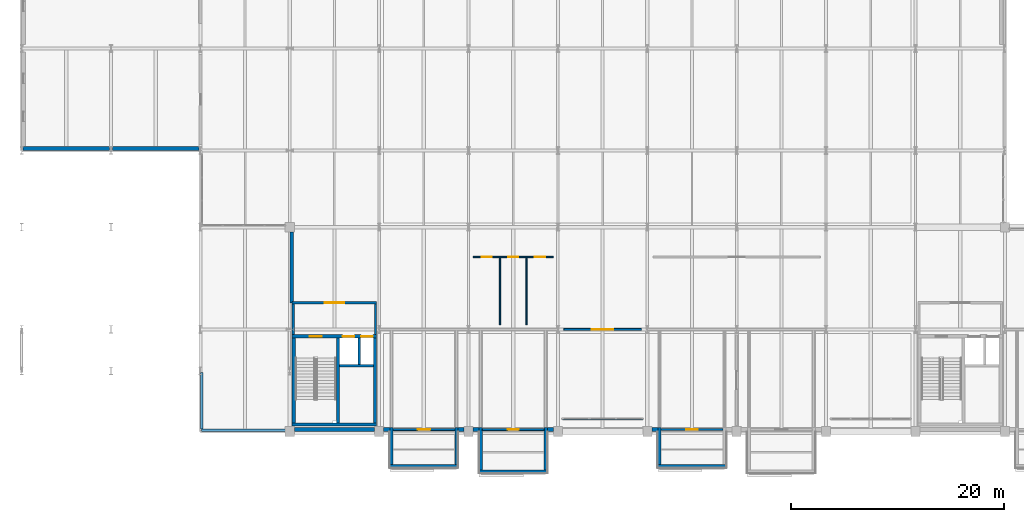
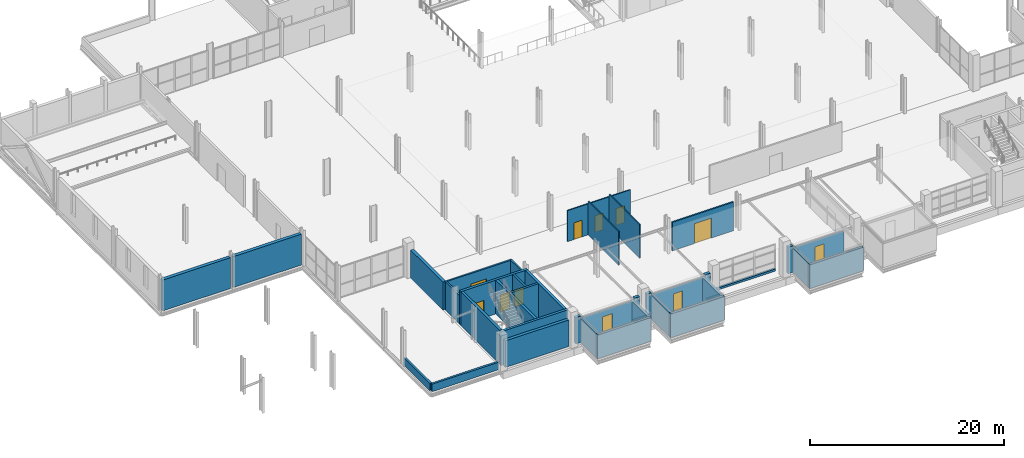
# One storey, part 98 of 113: 37 walls, 11 doors, 11 openings.
"""IFC4 building model written with IfcOpenShell, lengths in metres."""

from ifc_helpers import new_model, si_unit, direction, frame, frame_2d, origin, place, context, subcontext, project, spatial, rectangle, extrude, material, layer, layer_set, type_object, element, fill, save


model = new_model("IFC4")

# Units and contexts
model_context = context("Model", 3, precision=1e-05, world=origin(), true_north=direction((0.0, 1.0)))
body_context = subcontext(model_context, "Body", "Model", "MODEL_VIEW")
ifc_project = project(units=[si_unit("LENGTHUNIT", "METRE"), si_unit("AREAUNIT", "SQUARE_METRE"), si_unit("VOLUMEUNIT", "CUBIC_METRE"), si_unit("PLANEANGLEUNIT", "RADIAN"), si_unit("MASSUNIT", "GRAM", prefix="KILO")], contexts=[model_context])

# Site, building, storey
site_placement = place(None, origin())
site = spatial("IfcSite", under=ifc_project, at=site_placement, CompositionType="ELEMENT")
building_placement = place(site_placement, origin())
building = spatial("IfcBuilding", under=site, at=building_placement, Name="Veltarok Museum of Natural Sciences", CompositionType="ELEMENT")
storey_placement = place(building_placement, frame((0.0, 0.0, 8.39990234375)))
storey = spatial("IfcBuildingStorey", under=building, at=storey_placement, Name="L01", CompositionType="ELEMENT", Elevation=8.39990234375)

# Walls
ifc_material_1 = material(Name="Concrete C40/50", Category="concrete")
ifc_layer_1 = layer(ifc_material_1, 0.3798828125)
ifc_layer_set_1 = layer_set([ifc_layer_1], Name="Concrete C40/50")
wall_type_1 = type_object("IfcWallType", Name="Auditorium Acoustic Concrete Facade Wall 380", PredefinedType="SOLIDWALL", material=ifc_layer_set_1)
wall_1_placement = place(storey_placement, frame((6.550048828125, 26.590087890625, 0.0), z_axis=(0.0, 0.0, 1.0), x_axis=(1.0, 0.0, 0.0)))
element("IfcWall", 1, at=wall_1_placement, inside=storey, type_object=wall_type_1, Name="Auditorium South Acoustic Wall L01 1-2", PredefinedType="SOLIDWALL", context=body_context, shape_type="SweptSolid", body=[
    extrude(rectangle(XDim=8.099853515625, YDim=0.3798828125, at=frame_2d((4.0498046875, 0.0))), origin(), (0.0, 0.0, 1.0), 3.880126953125),
])
wall_2_placement = place(storey_placement, frame((14.949951171875, 26.590087890625, 0.0), z_axis=(0.0, 0.0, 1.0), x_axis=(1.0, 0.0, 0.0)))
element("IfcWall", 2, at=wall_2_placement, inside=storey, type_object=wall_type_1, Name="Auditorium South Acoustic Wall L01 2-3", PredefinedType="SOLIDWALL", context=body_context, shape_type="SweptSolid", body=[
    extrude(rectangle(XDim=8.10009765625, YDim=0.3798828125, at=frame_2d((4.050048828125, 0.0))), origin(), (0.0, 0.0, 1.0), 3.880126953125),
])
ifc_material_2 = material(Name="Precast concrete C40/50", Category="concrete")
ifc_layer_2 = layer(ifc_material_2, 0.280029296875)
ifc_layer_set_2 = layer_set([ifc_layer_2], Name="Precast concrete C40/50")
wall_type_2 = type_object("IfcWallType", Name="Cabinet Box Insulated Backup Wall 280", PredefinedType="SOLIDWALL", material=ifc_layer_set_2)
wall_3_placement = place(storey_placement, frame((41.0, -3.260009765625, 0.0), z_axis=(0.0, 0.0, 1.0), x_axis=(1.0, 0.0, 0.0)))
element("IfcWall", 3, at=wall_3_placement, inside=storey, type_object=wall_type_2, Name="Cabinet Box Wall DB-01-S", PredefinedType="SOLIDWALL", context=body_context, shape_type="SweptSolid", body=[
    extrude(rectangle(XDim=6.39990234375, YDim=0.280029296875, at=frame_2d((3.199951171875, 0.0))), origin(), (0.0, 0.0, 1.0), 2.989990234375),
])
for number, where, z_axis, x_axis, name in (
    (4, (41.139892578125, 0.360107421875, 0.0), (0.0, 0.0, 1.0), (0.0, -1.0, 0.0), "Cabinet Box Wall DB-01-W"),
    (5, (47.260009765625, -3.1201171875, 0.0), (0.0, 0.0, 1.0), (0.0, 1.0, 0.0), "Cabinet Box Wall DB-01-E"),
):
    element("IfcWall", number, at=place(storey_placement, frame(where, z_axis=z_axis, x_axis=x_axis)), inside=storey, type_object=wall_type_2, Name=name, PredefinedType="SOLIDWALL", context=body_context, shape_type="SweptSolid", body=[
        extrude(rectangle(XDim=3.480224609375, YDim=0.280029296875, at=frame_2d((1.740234375, 0.0))), origin(), (0.0, 0.0, 1.0), 2.989990234375),
    ])
wall_4_placement = place(storey_placement, frame((66.199951171875, -3.260009765625, 0.0), z_axis=(0.0, 0.0, 1.0), x_axis=(1.0, 0.0, 0.0)))
element("IfcWall", 6, at=wall_4_placement, inside=storey, type_object=wall_type_2, Name="Cabinet Box Wall DB-03-S", PredefinedType="SOLIDWALL", context=body_context, shape_type="SweptSolid", body=[
    extrude(rectangle(XDim=6.400146484375, YDim=0.280029296875, at=frame_2d((3.2001953125, 0.0))), origin(), (0.0, 0.0, 1.0), 2.989990234375),
])
wall_5_placement = place(storey_placement, frame((66.340087890625, 0.360107421875, 0.0), z_axis=(0.0, 0.0, 1.0), x_axis=(0.0, -1.0, 0.0)))
element("IfcWall", 7, at=wall_5_placement, inside=storey, type_object=wall_type_2, Name="Cabinet Box Wall DB-03-W", PredefinedType="SOLIDWALL", context=body_context, shape_type="SweptSolid", body=[
    extrude(rectangle(XDim=3.480224609375, YDim=0.280029296875, at=frame_2d((1.740234375, 0.0))), origin(), (0.0, 0.0, 1.0), 2.989990234375),
])
ifc_layer_3 = layer(ifc_material_2, 0.300048828125)
ifc_layer_set_3 = layer_set([ifc_layer_3], Name="Precast concrete C40/50")
wall_type_3 = type_object("IfcWallType", Name="Deep Cabinet Box Insulated Wall 300", PredefinedType="SOLIDWALL", material=ifc_layer_set_3)
wall_6_placement = place(storey_placement, frame((49.39990234375, -3.75, 0.0), z_axis=(0.0, 0.0, 1.0), x_axis=(1.0, 0.0, 0.0)))
element("IfcWall", 8, at=wall_6_placement, inside=storey, type_object=wall_type_3, Name="Cabinet Box Wall DB-02-S", PredefinedType="SOLIDWALL", context=body_context, shape_type="SweptSolid", body=[
    extrude(rectangle(XDim=6.400146484375, YDim=0.300048828125, at=frame_2d((3.2001953125, 0.0))), origin(), (0.0, 0.0, 1.0), 2.989990234375),
])
for number, where, z_axis, x_axis, name in (
    (9, (49.550048828125, 0.360107421875, 0.0), (0.0, 0.0, 1.0), (0.0, -1.0, 0.0), "Cabinet Box Wall DB-02-W"),
    (10, (55.64990234375, -3.60009765625, 0.0), (0.0, 0.0, 1.0), (0.0, 1.0, 0.0), "Cabinet Box Wall DB-02-E"),
):
    element("IfcWall", number, at=place(storey_placement, frame(where, z_axis=z_axis, x_axis=x_axis)), inside=storey, type_object=wall_type_3, Name=name, PredefinedType="SOLIDWALL", context=body_context, shape_type="SweptSolid", body=[
        extrude(rectangle(XDim=3.960205078125, YDim=0.300048828125, at=frame_2d((1.97998046875, 0.0))), origin(), (0.0, 0.0, 1.0), 2.989990234375),
    ])

# Wall, opening, door
ifc_material_3 = material(Name="Acoustic gypsum and mineral wool")
ifc_layer_4 = layer(ifc_material_3, 0.179931640625)
ifc_layer_set_4 = layer_set([ifc_layer_4], Name="Acoustic gypsum and mineral wool")
wall_type_4 = type_object("IfcWallType", Name="Exhibition Gallery Partition 180", PredefinedType="PARTITIONING", material=ifc_layer_set_4)
wall_7_placement = place(storey_placement, frame((41.280029296875, 0.179931640625, 0.0), z_axis=(0.0, 0.0, 1.0), x_axis=(1.0, 0.0, 0.0)))
wall_7 = element("IfcWall", 11, at=wall_7_placement, inside=storey, type_object=wall_type_4, Name="Cabinet Threshold Partition DB-01", PredefinedType="PARTITIONING", context=body_context, shape_type="SweptSolid", body=[
    extrude(rectangle(XDim=5.840087890625, YDim=0.179931640625, at=frame_2d((2.919921875, 0.0))), origin(), (0.0, 0.0, 1.0), 2.989990234375),
])
opening_1_placement = place(wall_7_placement, frame((2.330078125, 0.0, 0.0)))
opening_1 = element("IfcOpeningElement", 12, at=opening_1_placement, cuts=wall_7, Name="Opening D-L01-072", PredefinedType="OPENING", context=body_context, shape_type="SweptSolid", body=[
    extrude(rectangle(XDim=1.179931640625, YDim=2.25, at=frame_2d((0.58984375, 1.125))), frame((0.0, 0.10009765625, 0.0), z_axis=(0.0, -1.0, 0.0), x_axis=(1.0, 0.0, 0.0)), (0.0, 0.0, 1.0), 0.199951171875),
])
ifc_material_4 = material(Name="Airtight powder-coated steel", Category="steel")
door_type_1 = type_object("IfcDoorType", Name="Large Cabinet Conservation Door 1180x2250", OperationType="NOTDEFINED", PredefinedType="DOOR", material=ifc_material_4)
door_1_placement = place(opening_1_placement, origin())
door_1 = element("IfcDoor", 13, at=door_1_placement, inside=storey, type_object=door_type_1, Name="Cabinet Conservation Door DB-01", OperationType="SINGLE_SWING_RIGHT", OverallHeight=2.25, OverallWidth=1.179931640625, PredefinedType="DOOR", context=body_context, shape_type="SweptSolid", body=[
    extrude(rectangle(XDim=1.179931640625, YDim=2.25, at=frame_2d((0.58984375, 1.125))), frame((0.0, 0.02490234375, 0.0), z_axis=(0.0, -1.0, 0.0), x_axis=(1.0, 0.0, 0.0)), (0.0, 0.0, 1.0), 0.050048828125),
])
fill(opening_1, door_1)

wall_8_placement = place(storey_placement, frame((49.699951171875, 0.179931640625, 0.0), z_axis=(0.0, 0.0, 1.0), x_axis=(1.0, 0.0, 0.0)))
wall_8 = element("IfcWall", 14, at=wall_8_placement, inside=storey, type_object=wall_type_4, Name="Cabinet Threshold Partition DB-02", PredefinedType="PARTITIONING", context=body_context, shape_type="SweptSolid", body=[
    extrude(rectangle(XDim=5.800048828125, YDim=0.179931640625, at=frame_2d((2.89990234375, 0.0))), origin(), (0.0, 0.0, 1.0), 2.989990234375),
])
opening_2_placement = place(wall_8_placement, frame((2.3798828125, 0.0, 0.0)))
opening_2 = element("IfcOpeningElement", 15, at=opening_2_placement, cuts=wall_8, Name="Opening D-L01-073", PredefinedType="OPENING", context=body_context, shape_type="SweptSolid", body=[
    extrude(rectangle(XDim=1.0400390625, YDim=2.179931640625, at=frame_2d((0.52001953125, 1.08984375))), frame((0.0, 0.10009765625, 0.0), z_axis=(0.0, -1.0, 0.0), x_axis=(1.0, 0.0, 0.0)), (0.0, 0.0, 1.0), 0.199951171875),
])
door_type_2 = type_object("IfcDoorType", Name="Compact Cabinet Conservation Door 1040x2180", OperationType="NOTDEFINED", PredefinedType="DOOR", material=ifc_material_4)
door_2_placement = place(opening_2_placement, origin())
door_2 = element("IfcDoor", 16, at=door_2_placement, inside=storey, type_object=door_type_2, Name="Cabinet Conservation Door DB-02", OperationType="SINGLE_SWING_LEFT", OverallHeight=2.179931640625, OverallWidth=1.0400390625, PredefinedType="DOOR", context=body_context, shape_type="SweptSolid", body=[
    extrude(rectangle(XDim=1.0400390625, YDim=2.179931640625, at=frame_2d((0.52001953125, 1.08984375))), frame((0.0, 0.02490234375, 0.0), z_axis=(0.0, -1.0, 0.0), x_axis=(1.0, 0.0, 0.0)), (0.0, 0.0, 1.0), 0.050048828125),
])
fill(opening_2, door_2)

wall_9_placement = place(storey_placement, frame((66.47998046875, 0.179931640625, 0.0), z_axis=(0.0, 0.0, 1.0), x_axis=(1.0, 0.0, 0.0)))
wall_9 = element("IfcWall", 17, at=wall_9_placement, inside=storey, type_object=wall_type_4, Name="Cabinet Threshold Partition DB-03", PredefinedType="PARTITIONING", context=body_context, shape_type="SweptSolid", body=[
    extrude(rectangle(XDim=5.840087890625, YDim=0.179931640625, at=frame_2d((2.919921875, 0.0))), origin(), (0.0, 0.0, 1.0), 2.989990234375),
])
opening_3_placement = place(wall_9_placement, frame((2.3701171875, 0.0, 0.0)))
opening_3 = element("IfcOpeningElement", 18, at=opening_3_placement, cuts=wall_9, Name="Opening D-L01-074", PredefinedType="OPENING", context=body_context, shape_type="SweptSolid", body=[
    extrude(rectangle(XDim=1.10009765625, YDim=2.199951171875, at=frame_2d((0.550048828125, 1.10009765625))), frame((0.0, 0.10009765625, 0.0), z_axis=(0.0, -1.0, 0.0), x_axis=(1.0, 0.0, 0.0)), (0.0, 0.0, 1.0), 0.199951171875),
])
door_type_3 = type_object("IfcDoorType", Name="Cabinet Box Conservation Door 1100x2200", OperationType="NOTDEFINED", PredefinedType="DOOR", material=ifc_material_4)
door_3_placement = place(opening_3_placement, origin())
door_3 = element("IfcDoor", 19, at=door_3_placement, inside=storey, type_object=door_type_3, Name="Cabinet Conservation Door DB-03", OperationType="SINGLE_SWING_RIGHT", OverallHeight=2.199951171875, OverallWidth=1.10009765625, PredefinedType="DOOR", context=body_context, shape_type="SweptSolid", body=[
    extrude(rectangle(XDim=1.10009765625, YDim=2.199951171875, at=frame_2d((0.550048828125, 1.10009765625))), frame((0.0, 0.02490234375, 0.0), z_axis=(0.0, -1.0, 0.0), x_axis=(1.0, 0.0, 0.0)), (0.0, 0.0, 1.0), 0.050048828125),
])
fill(opening_3, door_3)

wall_10_placement = place(storey_placement, frame((57.35009765625, 9.60009765625, 0.0), z_axis=(0.0, 0.0, 1.0), x_axis=(1.0, 0.0, 0.0)))
wall_10 = element("IfcWall", 20, at=wall_10_placement, inside=storey, type_object=wall_type_4, Name="Interior Partition L01-026", PredefinedType="PARTITIONING", context=body_context, shape_type="SweptSolid", body=[
    extrude(rectangle(XDim=7.2998046875, YDim=0.179931640625, at=frame_2d((3.64990234375, 0.0))), origin(), (0.0, 0.0, 1.0), 3.592041015625),
])
opening_4_placement = place(wall_10_placement, frame((2.64990234375, 0.0, 0.0)))
opening_4 = element("IfcOpeningElement", 21, at=opening_4_placement, cuts=wall_10, Name="Opening D-L01-152", PredefinedType="OPENING", context=body_context, shape_type="SweptSolid", body=[
    extrude(rectangle(XDim=2.0, YDim=2.5, at=frame_2d((1.0, 1.25))), frame((0.0, 0.10009765625, 0.0), z_axis=(0.0, -1.0, 0.0), x_axis=(1.0, 0.0, 0.0)), (0.0, 0.0, 1.0), 0.199951171875),
])
ifc_material_5 = material(Name="Solid European oak and acoustic glass", Category="glass")
door_type_4 = type_object("IfcDoorType", Name="Exhibition Hall Double Portal Door 2000x2500", OperationType="NOTDEFINED", PredefinedType="DOOR", material=ifc_material_5)
door_4_placement = place(opening_4_placement, origin())
door_4 = element("IfcDoor", 22, at=door_4_placement, inside=storey, type_object=door_type_4, Name="Interior Door D-L01-152", OperationType="DOUBLE_DOOR_SINGLE_SWING", OverallHeight=2.5, OverallWidth=2.0, PredefinedType="DOOR", context=body_context, shape_type="SweptSolid", body=[
    extrude(rectangle(XDim=2.0, YDim=2.5, at=frame_2d((1.0, 1.25))), frame((0.0, 0.02490234375, 0.0), z_axis=(0.0, -1.0, 0.0), x_axis=(1.0, 0.0, 0.0)), (0.0, 0.0, 1.0), 0.050048828125),
])
fill(opening_4, door_4)

# Walls
ifc_layer_5 = layer(ifc_material_1, 0.360107421875)
ifc_layer_set_5 = layer_set([ifc_layer_5], Name="Concrete C40/50")
wall_type_5 = type_object("IfcWallType", Name="Exposed Architectural Concrete Facade Wall 360", PredefinedType="SOLIDWALL", material=ifc_layer_set_5)
wall_11_placement = place(storey_placement, frame((32.02490234375, 0.179931640625, 0.0), z_axis=(0.0, 0.0, 1.0), x_axis=(1.0, 0.0, 0.0)))
element("IfcWall", 23, at=wall_11_placement, inside=storey, type_object=wall_type_5, Name="South Core Facade Wall L01 4-5", PredefinedType="SOLIDWALL", context=body_context, shape_type="SweptSolid", body=[
    extrude(rectangle(XDim=7.550048828125, YDim=0.360107421875, at=frame_2d((3.77490234375, 0.0))), origin(), (0.0, 0.0, 1.0), 3.335205078125),
])
wall_12_placement = place(storey_placement, frame((40.425048828125, 0.179931640625, 0.0), z_axis=(0.0, 0.0, 1.0), x_axis=(1.0, 0.0, 0.0)))
element("IfcWall", 24, at=wall_12_placement, inside=storey, type_object=wall_type_5, Name="Cabinet Collar Wall L01 5-6L", PredefinedType="SOLIDWALL", context=body_context, shape_type="SweptSolid", body=[
    extrude(rectangle(XDim=0.574951171875, YDim=0.360107421875, at=frame_2d((0.28759765625, 0.0))), origin(), (0.0, 0.0, 1.0), 3.335205078125),
])
wall_13_placement = place(storey_placement, frame((47.39990234375, 0.179931640625, 0.0), z_axis=(0.0, 0.0, 1.0), x_axis=(1.0, 0.0, 0.0)))
element("IfcWall", 25, at=wall_13_placement, inside=storey, type_object=wall_type_5, Name="Cabinet Collar Wall L01 5-6R", PredefinedType="SOLIDWALL", context=body_context, shape_type="SweptSolid", body=[
    extrude(rectangle(XDim=0.5751953125, YDim=0.360107421875, at=frame_2d((0.28759765625, 0.0))), origin(), (0.0, 0.0, 1.0), 3.335205078125),
])
for number, where, z_axis, x_axis, name in (
    (26, (48.824951171875, 0.179931640625, 0.0), (0.0, 0.0, 1.0), (1.0, 0.0, 0.0), "Cabinet Collar Wall L01 6-7L"),
    (27, (55.800048828125, 0.179931640625, 0.0), (0.0, 0.0, 1.0), (1.0, 0.0, 0.0), "Cabinet Collar Wall L01 6-7R"),
    (28, (65.625, 0.179931640625, 0.0), (0.0, 0.0, 1.0), (1.0, 0.0, 0.0), "Cabinet Collar Wall L01 8-9L"),
):
    element("IfcWall", number, at=place(storey_placement, frame(where, z_axis=z_axis, x_axis=x_axis)), inside=storey, type_object=wall_type_5, Name=name, PredefinedType="SOLIDWALL", context=body_context, shape_type="SweptSolid", body=[
        extrude(rectangle(XDim=0.574951171875, YDim=0.360107421875, at=frame_2d((0.28759765625, 0.0))), origin(), (0.0, 0.0, 1.0), 3.335205078125),
    ])
wall_14_placement = place(storey_placement, frame((31.780029296875, 18.75, 0.0), z_axis=(0.0, 0.0, 1.0), x_axis=(0.0, -1.0, 0.0)))
element("IfcWall", 29, at=wall_14_placement, inside=storey, type_object=wall_type_5, Name="V1 West End Facade Wall L01 4/B-C", PredefinedType="SOLIDWALL", context=body_context, shape_type="SweptSolid", body=[
    extrude(rectangle(XDim=6.64990234375, YDim=0.360107421875, at=frame_2d((3.324951171875, 0.0))), origin(), (0.0, 0.0, 1.0), 3.531982421875),
])

# Wall, opening, door
ifc_material_6 = material(Name="Concrete C35/45", Category="concrete")
ifc_layer_6 = layer(ifc_material_6, 0.199951171875)
ifc_layer_set_6 = layer_set([ifc_layer_6], Name="Concrete C35/45")
wall_type_6 = type_object("IfcWallType", Name="Firefighting Lobby Compartment Wall 200", PredefinedType="SOLIDWALL", material=ifc_layer_set_6)
wall_15_placement = place(storey_placement, frame((31.830078125, 12.10009765625, 0.0), z_axis=(0.0, 0.0, 1.0), x_axis=(1.0, 0.0, 0.0)))
wall_15 = element("IfcWall", 30, at=wall_15_placement, inside=storey, type_object=wall_type_6, Name="Firefighting Lobby Wall C1 L01 N", PredefinedType="SOLIDWALL", context=body_context, shape_type="SweptSolid", body=[
    extrude(rectangle(XDim=7.93994140625, YDim=0.199951171875, at=frame_2d((3.969970703125, 0.0))), origin(), (0.0, 0.0, 1.0), 3.531982421875),
])
opening_5_placement = place(wall_15_placement, frame((3.070068359375, 0.0, 0.0)))
opening_5 = element("IfcOpeningElement", 31, at=opening_5_placement, cuts=wall_15, Name="Opening D-L01-025", PredefinedType="OPENING", context=body_context, shape_type="SweptSolid", body=[
    extrude(rectangle(XDim=1.800048828125, YDim=2.199951171875, at=frame_2d((0.89990234375, 1.10009765625))), frame((0.0, 0.10986328125, 0.0), z_axis=(0.0, -1.0, 0.0), x_axis=(1.0, 0.0, 0.0)), (0.0, 0.0, 1.0), 0.219970703125),
])
ifc_material_7 = material(Name="Fire-rated steel and vision glass", Category="steel")
door_type_5 = type_object("IfcDoorType", Name="Fire Lobby Double Door 1800x2200", OperationType="NOTDEFINED", PredefinedType="DOOR", material=ifc_material_7)
door_5_placement = place(opening_5_placement, origin())
door_5 = element("IfcDoor", 32, at=door_5_placement, inside=storey, type_object=door_type_5, Name="Firefighting Lobby Entrance Door C1 L01", OperationType="DOUBLE_DOOR_SINGLE_SWING", OverallHeight=2.199951171875, OverallWidth=1.800048828125, PredefinedType="DOOR", context=body_context, shape_type="SweptSolid", body=[
    extrude(rectangle(XDim=1.800048828125, YDim=2.199951171875, at=frame_2d((0.89990234375, 1.10009765625))), frame((0.0, 0.02490234375, 0.0), z_axis=(0.0, -1.0, 0.0), x_axis=(1.0, 0.0, 0.0)), (0.0, 0.0, 1.0), 0.050048828125),
])
fill(opening_5, door_5)

# Walls
for number, where, z_axis, x_axis, name in (
    (33, (31.929931640625, 9.10009765625, 0.0), (0.0, 0.0, 1.0), (0.0, 1.0, 0.0), "Firefighting Lobby Wall C1 L01 W"),
    (34, (39.669921875, 12.0, 0.0), (0.0, 0.0, 1.0), (0.0, -1.0, 0.0), "Firefighting Lobby Wall C1 L01 E"),
):
    element("IfcWall", number, at=place(storey_placement, frame(where, z_axis=z_axis, x_axis=x_axis)), inside=storey, type_object=wall_type_6, Name=name, PredefinedType="SOLIDWALL", context=body_context, shape_type="SweptSolid", body=[
        extrude(rectangle(XDim=2.89990234375, YDim=0.199951171875, at=frame_2d((1.449951171875, 0.0))), origin(), (0.0, 0.0, 1.0), 3.592041015625),
    ])
ifc_layer_7 = layer(ifc_material_2, 0.239990234375)
ifc_layer_set_7 = layer_set([ifc_layer_7], Name="Precast concrete C40/50")
wall_type_7 = type_object("IfcWallType", Name="Flat Roof Concrete Parapet Wall 240", PredefinedType="PARAPET", material=ifc_layer_set_7)
wall_16_placement = place(storey_placement, frame((23.320068359375, 0.1201171875, 0.0), z_axis=(0.0, 0.0, 1.0), x_axis=(1.0, 0.0, 0.0)))
element("IfcWall", 35, at=wall_16_placement, inside=storey, type_object=wall_type_7, Name="Roof Parapet Wall L01-01", PredefinedType="PARAPET", context=body_context, shape_type="SweptSolid", body=[
    extrude(rectangle(XDim=7.929931640625, YDim=0.239990234375, at=frame_2d((3.96484375, 0.0))), origin(), (0.0, 0.0, 1.0), 0.9501953125),
])
wall_17_placement = place(storey_placement, frame((23.320068359375, 0.239990234375, 0.0), z_axis=(0.0, 0.0, 1.0), x_axis=(0.0, 1.0, 0.0)))
element("IfcWall", 36, at=wall_17_placement, inside=storey, type_object=wall_type_7, Name="Roof Parapet Wall L01-02", PredefinedType="PARAPET", context=body_context, shape_type="SweptSolid", body=[
    extrude(rectangle(XDim=5.31005859375, YDim=0.239990234375, at=frame_2d((2.655029296875, 0.0))), origin(), (0.0, 0.0, 1.0), 0.9501953125),
])
ifc_layer_8 = layer(ifc_material_1, 0.25)
ifc_layer_set_8 = layer_set([ifc_layer_8], Name="Concrete C40/50")
wall_type_8 = type_object("IfcWallType", Name="Lift Shaft Concrete Shear Wall 250", PredefinedType="SHEAR", material=ifc_layer_set_8)
wall_18_placement = place(storey_placement, frame((38.114990234375, 6.300048828125, 0.0), z_axis=(0.0, 0.0, 1.0), x_axis=(0.0, 1.0, 0.0)))
element("IfcWall", 37, at=wall_18_placement, inside=storey, type_object=wall_type_8, Name="Lift Shaft Divider Wall C1 L01", PredefinedType="SHEAR", context=body_context, shape_type="SweptSolid", body=[
    extrude(rectangle(XDim=2.5, YDim=0.25, at=frame_2d((1.25, 0.0))), origin(), (0.0, 0.0, 1.0), 4.25),
])
wall_19_placement = place(storey_placement, frame((36.27001953125, 6.175048828125, 0.0), z_axis=(0.0, 0.0, 1.0), x_axis=(1.0, 0.0, 0.0)))
element("IfcWall", 38, at=wall_19_placement, inside=storey, type_object=wall_type_8, Name="Lift Shaft Back Wall C1 L01", PredefinedType="SHEAR", context=body_context, shape_type="SweptSolid", body=[
    extrude(rectangle(XDim=3.199951171875, YDim=0.25, at=frame_2d((1.60009765625, 0.0))), origin(), (0.0, 0.0, 1.0), 4.25),
])
ifc_layer_9 = layer(ifc_material_1, 0.300048828125)
ifc_layer_set_9 = layer_set([ifc_layer_9], Name="Concrete C40/50")
wall_type_9 = type_object("IfcWallType", Name="Protected Core Shear Wall 300", PredefinedType="SHEAR", material=ifc_layer_set_9)
wall_20_placement = place(storey_placement, frame((31.830078125, 0.64990234375, 0.0), z_axis=(0.0, 0.0, 1.0), x_axis=(1.0, 0.0, 0.0)))
element("IfcWall", 39, at=wall_20_placement, inside=storey, type_object=wall_type_9, Name="Core Shear Wall C1 L01 S", PredefinedType="SHEAR", context=body_context, shape_type="SweptSolid", body=[
    extrude(rectangle(XDim=7.93994140625, YDim=0.300048828125, at=frame_2d((3.969970703125, 0.0))), origin(), (0.0, 0.0, 1.0), 4.25),
])

# Wall, openings, doors
wall_21_placement = place(storey_placement, frame((39.77001953125, 8.949951171875, 0.0), z_axis=(0.0, 0.0, 1.0), x_axis=(-1.0, 0.0, 0.0)))
wall_21 = element("IfcWall", 40, at=wall_21_placement, inside=storey, type_object=wall_type_9, Name="Core Shear Wall C1 L01 N", PredefinedType="SHEAR", context=body_context, shape_type="SweptSolid", body=[
    extrude(rectangle(XDim=7.93994140625, YDim=0.300048828125, at=frame_2d((3.969970703125, 0.0))), origin(), (0.0, 0.0, 1.0), 4.25),
])
opening_6_placement = place(wall_21_placement, frame((5.169921875, 0.0, 0.0)))
opening_6 = element("IfcOpeningElement", 41, at=opening_6_placement, cuts=wall_21, Name="Opening D-L01-024", PredefinedType="OPENING", context=body_context, shape_type="SweptSolid", body=[
    extrude(rectangle(XDim=1.10009765625, YDim=2.199951171875, at=frame_2d((0.550048828125, 1.10009765625))), frame((0.0, 0.16015625, 0.0), z_axis=(0.0, -1.0, 0.0), x_axis=(1.0, 0.0, 0.0)), (0.0, 0.0, 1.0), 0.320068359375),
])
opening_7_placement = place(wall_21_placement, frame((2.090087890625, 0.0, 0.0)))
opening_7 = element("IfcOpeningElement", 42, at=opening_7_placement, cuts=wall_21, Name="Opening LD-L01-LP-01", PredefinedType="OPENING", context=body_context, shape_type="SweptSolid", body=[
    extrude(rectangle(XDim=1.10009765625, YDim=2.10009765625, at=frame_2d((0.550048828125, 1.050048828125))), frame((0.0, 0.16015625, 0.0), z_axis=(0.0, -1.0, 0.0), x_axis=(1.0, 0.0, 0.0)), (0.0, 0.0, 1.0), 0.320068359375),
])
opening_8_placement = place(wall_21_placement, frame((0.364990234375, 0.0, 0.0)))
opening_8 = element("IfcOpeningElement", 43, at=opening_8_placement, cuts=wall_21, Name="Opening LD-L01-FL-01", PredefinedType="OPENING", context=body_context, shape_type="SweptSolid", body=[
    extrude(rectangle(XDim=1.10009765625, YDim=2.10009765625, at=frame_2d((0.550048828125, 1.050048828125))), frame((0.0, 0.16015625, 0.0), z_axis=(0.0, -1.0, 0.0), x_axis=(1.0, 0.0, 0.0)), (0.0, 0.0, 1.0), 0.320068359375),
])
ifc_material_8 = material(Name="Fire-rated painted steel", Category="steel")
door_type_6 = type_object("IfcDoorType", Name="Fire Core Single Escape Door 1100x2200", OperationType="NOTDEFINED", PredefinedType="DOOR", material=ifc_material_8)
door_6_placement = place(opening_6_placement, origin())
door_6 = element("IfcDoor", 44, at=door_6_placement, inside=storey, type_object=door_type_6, Name="Protected Stair Door ST-01 L01", OperationType="SINGLE_SWING_RIGHT", OverallHeight=2.199951171875, OverallWidth=1.10009765625, PredefinedType="DOOR", context=body_context, shape_type="SweptSolid", body=[
    extrude(rectangle(XDim=1.10009765625, YDim=2.199951171875, at=frame_2d((0.550048828125, 1.10009765625))), frame((0.0, 0.02490234375, 0.0), z_axis=(0.0, -1.0, 0.0), x_axis=(1.0, 0.0, 0.0)), (0.0, 0.0, 1.0), 0.050048828125),
])
fill(opening_6, door_6)
ifc_material_9 = material(Name="Brushed stainless steel", Category="steel")
door_type_7 = type_object("IfcDoorType", Name="Passenger and Firefighting Lift Landing Door 1100x2100", OperationType="SLIDING_TO_LEFT", PredefinedType="DOOR", material=ifc_material_9)
door_7_placement = place(opening_7_placement, origin())
door_7 = element("IfcDoor", 45, at=door_7_placement, inside=storey, type_object=door_type_7, Name="Sliding Lift Landing Door LD-L01-LP-01", OperationType="SLIDING_TO_LEFT", OverallHeight=2.10009765625, OverallWidth=1.10009765625, PredefinedType="DOOR", context=body_context, shape_type="SweptSolid", body=[
    extrude(rectangle(XDim=1.10009765625, YDim=2.10009765625, at=frame_2d((0.550048828125, 1.050048828125))), frame((0.0, 0.02490234375, 0.0), z_axis=(0.0, -1.0, 0.0), x_axis=(1.0, 0.0, 0.0)), (0.0, 0.0, 1.0), 0.050048828125),
])
fill(opening_7, door_7)
door_8_placement = place(opening_8_placement, origin())
door_8 = element("IfcDoor", 46, at=door_8_placement, inside=storey, type_object=door_type_7, Name="Sliding Lift Landing Door LD-L01-FL-01", OperationType="SLIDING_TO_LEFT", OverallHeight=2.10009765625, OverallWidth=1.10009765625, PredefinedType="DOOR", context=body_context, shape_type="SweptSolid", body=[
    extrude(rectangle(XDim=1.10009765625, YDim=2.10009765625, at=frame_2d((0.550048828125, 1.050048828125))), frame((0.0, 0.02490234375, 0.0), z_axis=(0.0, -1.0, 0.0), x_axis=(1.0, 0.0, 0.0)), (0.0, 0.0, 1.0), 0.050048828125),
])
fill(opening_8, door_8)

# Walls
for number, where, z_axis, x_axis, name in (
    (47, (31.97998046875, 8.800048828125, 0.0), (0.0, 0.0, 1.0), (0.0, -1.0, 0.0), "Core Shear Wall C1 L01 W"),
    (48, (39.6201171875, 0.800048828125, 0.0), (0.0, 0.0, 1.0), (0.0, 1.0, 0.0), "Core Shear Wall C1 L01 E"),
    (49, (36.1201171875, 0.800048828125, 0.0), (0.0, 0.0, 1.0), (0.0, 1.0, 0.0), "Core Shear Wall C1 L01 DIV"),
):
    element("IfcWall", number, at=place(storey_placement, frame(where, z_axis=z_axis, x_axis=x_axis)), inside=storey, type_object=wall_type_9, Name=name, PredefinedType="SHEAR", context=body_context, shape_type="SweptSolid", body=[
        extrude(rectangle(XDim=8.0, YDim=0.300048828125, at=frame_2d((4.0, 0.0))), origin(), (0.0, 0.0, 1.0), 4.25),
    ])

# Wall, openings, doors
ifc_layer_10 = layer(ifc_material_3, 0.125)
ifc_layer_set_10 = layer_set([ifc_layer_10], Name="Acoustic gypsum and mineral wool")
wall_type_10 = type_object("IfcWallType", Name="Sanitary Core Moisture-Resistant Partition 125", PredefinedType="PARTITIONING", material=ifc_layer_set_10)
wall_22_placement = place(storey_placement, frame((48.85009765625, 16.39990234375, 0.0), z_axis=(0.0, 0.0, 1.0), x_axis=(1.0, 0.0, 0.0)))
wall_22 = element("IfcWall", 50, at=wall_22_placement, inside=storey, type_object=wall_type_10, Name="Restroom Corridor Wall L01", PredefinedType="PARTITIONING", context=body_context, shape_type="SweptSolid", body=[
    extrude(rectangle(XDim=7.5, YDim=0.125, at=frame_2d((3.75, 0.0))), origin(), (0.0, 0.0, 1.0), 3.902099609375),
])
opening_9_placement = place(wall_22_placement, frame((0.77490234375, 0.0, 0.0)))
opening_9 = element("IfcOpeningElement", 51, at=opening_9_placement, cuts=wall_22, Name="Opening D-L01-112", PredefinedType="OPENING", context=body_context, shape_type="SweptSolid", body=[
    extrude(rectangle(XDim=0.949951171875, YDim=2.10009765625, at=frame_2d((0.47509765625, 1.050048828125))), frame((0.0, 0.072509765625, 0.0), z_axis=(0.0, -1.0, 0.0), x_axis=(1.0, 0.0, 0.0)), (0.0, 0.0, 1.0), 0.14501953125),
])
opening_10_placement = place(wall_22_placement, frame((3.27490234375, 0.0, 0.0)))
opening_10 = element("IfcOpeningElement", 52, at=opening_10_placement, cuts=wall_22, Name="Opening D-L01-113", PredefinedType="OPENING", context=body_context, shape_type="SweptSolid", body=[
    extrude(rectangle(XDim=0.949951171875, YDim=2.10009765625, at=frame_2d((0.47509765625, 1.050048828125))), frame((0.0, 0.072509765625, 0.0), z_axis=(0.0, -1.0, 0.0), x_axis=(1.0, 0.0, 0.0)), (0.0, 0.0, 1.0), 0.14501953125),
])
opening_11_placement = place(wall_22_placement, frame((5.77490234375, 0.0, 0.0)))
opening_11 = element("IfcOpeningElement", 53, at=opening_11_placement, cuts=wall_22, Name="Opening D-L01-114", PredefinedType="OPENING", context=body_context, shape_type="SweptSolid", body=[
    extrude(rectangle(XDim=1.0, YDim=2.1201171875, at=frame_2d((0.5, 1.06005859375))), frame((0.0, 0.072509765625, 0.0), z_axis=(0.0, -1.0, 0.0), x_axis=(1.0, 0.0, 0.0)), (0.0, 0.0, 1.0), 0.14501953125),
])
ifc_material_10 = material(Name="Moisture-resistant HPL")
door_type_8 = type_object("IfcDoorType", Name="Accessible Restroom Wide Door 1000x2120", OperationType="NOTDEFINED", PredefinedType="DOOR", material=ifc_material_10)
door_9_placement = place(opening_11_placement, frame((1.0, 0.0, 0.0), z_axis=(0.0, 0.0, 1.0), x_axis=(-1.0, 0.0, 0.0)))
door_9 = element("IfcDoor", 54, at=door_9_placement, inside=storey, type_object=door_type_8, Name="Restroom Door D-L01-114", OperationType="SINGLE_SWING_RIGHT", OverallHeight=2.1201171875, OverallWidth=1.0, PredefinedType="DOOR", context=body_context, shape_type="SweptSolid", body=[
    extrude(rectangle(XDim=1.0, YDim=2.1201171875, at=frame_2d((0.5, 1.06005859375))), frame((0.0, 0.02490234375, 0.0), z_axis=(0.0, -1.0, 0.0), x_axis=(1.0, 0.0, 0.0)), (0.0, 0.0, 1.0), 0.050048828125),
])
fill(opening_11, door_9)
door_type_9 = type_object("IfcDoorType", Name="Accessible Sanitary Room Door 950x2100", OperationType="NOTDEFINED", PredefinedType="DOOR", material=ifc_material_10)
door_10_placement = place(opening_9_placement, frame((0.949951171875, 0.0, 0.0), z_axis=(0.0, 0.0, 1.0), x_axis=(-1.0, 0.0, 0.0)))
door_10 = element("IfcDoor", 55, at=door_10_placement, inside=storey, type_object=door_type_9, Name="Restroom Door D-L01-112", OperationType="SINGLE_SWING_RIGHT", OverallHeight=2.10009765625, OverallWidth=0.949951171875, PredefinedType="DOOR", context=body_context, shape_type="SweptSolid", body=[
    extrude(rectangle(XDim=0.949951171875, YDim=2.10009765625, at=frame_2d((0.47509765625, 1.050048828125))), frame((0.0, 0.02490234375, 0.0), z_axis=(0.0, -1.0, 0.0), x_axis=(1.0, 0.0, 0.0)), (0.0, 0.0, 1.0), 0.050048828125),
])
fill(opening_9, door_10)
door_11_placement = place(opening_10_placement, frame((0.949951171875, 0.0, 0.0), z_axis=(0.0, 0.0, 1.0), x_axis=(-1.0, 0.0, 0.0)))
door_11 = element("IfcDoor", 56, at=door_11_placement, inside=storey, type_object=door_type_9, Name="Restroom Door D-L01-113", OperationType="SINGLE_SWING_LEFT", OverallHeight=2.10009765625, OverallWidth=0.949951171875, PredefinedType="DOOR", context=body_context, shape_type="SweptSolid", body=[
    extrude(rectangle(XDim=0.949951171875, YDim=2.10009765625, at=frame_2d((0.47509765625, 1.050048828125))), frame((0.0, 0.02490234375, 0.0), z_axis=(0.0, -1.0, 0.0), x_axis=(1.0, 0.0, 0.0)), (0.0, 0.0, 1.0), 0.050048828125),
])
fill(opening_10, door_11)

# Walls
for number, where, z_axis, x_axis, name in (
    (57, (51.35009765625, 10.050048828125, 0.0), (0.0, 0.0, 1.0), (0.0, 1.0, 0.0), "Restroom Divider L01-1"),
    (58, (53.85009765625, 10.050048828125, 0.0), (0.0, 0.0, 1.0), (0.0, 1.0, 0.0), "Restroom Divider L01-2"),
):
    element("IfcWall", number, at=place(storey_placement, frame(where, z_axis=z_axis, x_axis=x_axis)), inside=storey, type_object=wall_type_10, Name=name, PredefinedType="PARTITIONING", context=body_context, shape_type="SweptSolid", body=[
        extrude(rectangle(XDim=6.27001953125, YDim=0.125, at=frame_2d((3.135009765625, 0.0))), origin(), (0.0, 0.0, 1.0), 4.22998046875),
    ])
ifc_layer_11 = layer(ifc_material_2, 0.219970703125)
ifc_layer_set_11 = layer_set([ifc_layer_11], Name="Precast concrete C40/50")
wall_type_11 = type_object("IfcWallType", Name="Terrace Upstand Curb Wall 220", PredefinedType="PARAPET", material=ifc_layer_set_11)
wall_23_placement = place(storey_placement, frame((57.22509765625, 1.199951171875, -0.001953125), z_axis=(0.0, 0.0, 1.0), x_axis=(1.0, 0.0, 0.0)))
element("IfcWall", 59, at=wall_23_placement, inside=storey, type_object=wall_type_11, Name="Curtain Wall Sill Upstand CW-0001", PredefinedType="PARAPET", context=body_context, shape_type="SweptSolid", body=[
    extrude(rectangle(XDim=7.5498046875, YDim=0.219970703125, at=frame_2d((3.77490234375, 0.0))), origin(), (0.0, 0.0, 1.0), 0.26611328125),
])

save(model, "model.ifc")
